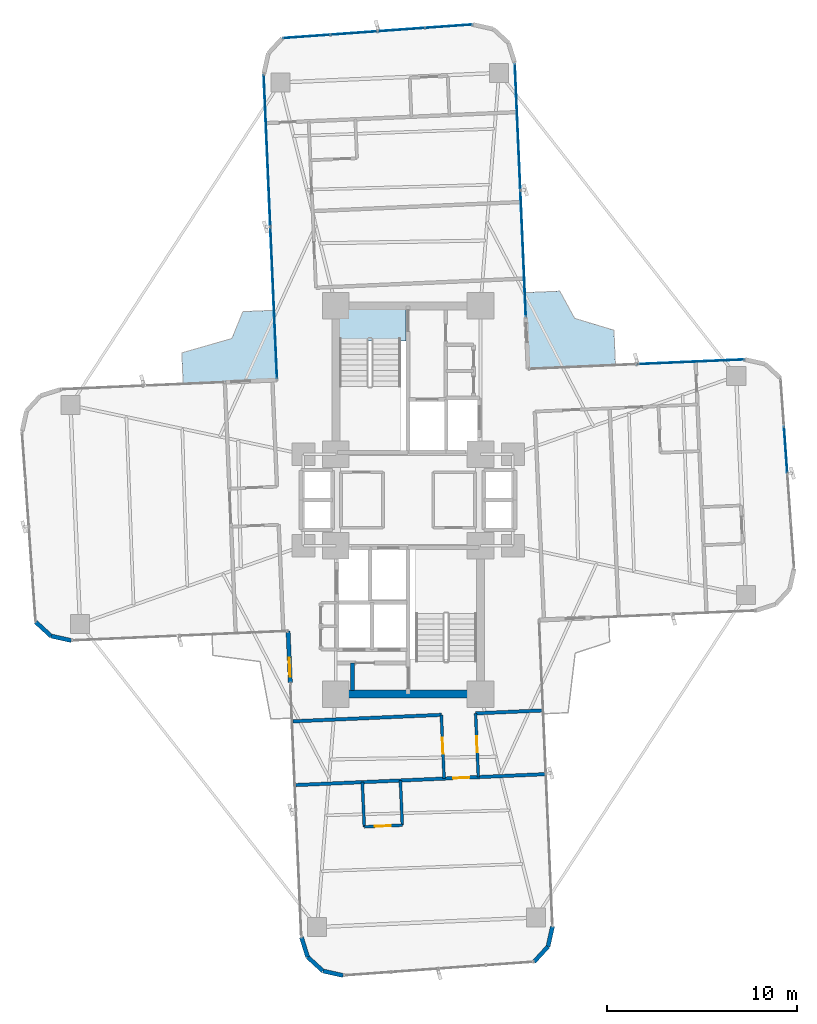
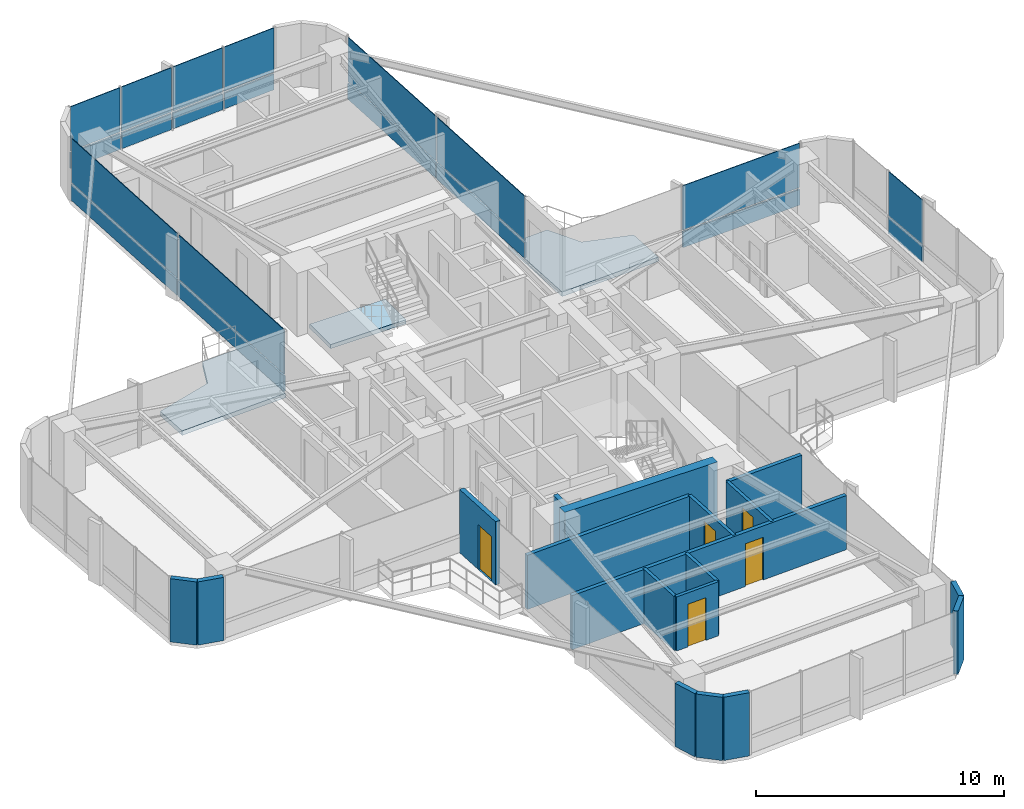
# One storey, part 22 of 26: 20 plates, 18 walls, 5 doors, 3 slabs, 5 openings, 5 elements without a shape of their own.
"""IFC4 building model written with IfcOpenShell, lengths in metres."""

import ifcopenshell
import ifcopenshell.guid

model = None  # the IFC model being written
_history = None  # IfcOwnerHistory: only IFC2X3 demands one
_inside = {}  # id of a spatial element -> (the spatial element, [elements in it])
_under = {}  # id of a project, library or spatial element -> (it, [spatial elements below it])
_declared = {}  # id of a project -> (the project, [libraries it declares])
_typed = {}  # id of a type object -> (the type object, [elements of that type])
_made_of = {}  # id of a material, layer set ... -> (it, [elements and type objects made of it])


def new_model(schema):
    """Start an empty IFC model of exactly this schema.

    Asked for "IFC4X3", IfcOpenShell would pick the latest addendum, in which some entities
    have other attributes; the version numbers below select the first issue.
    IFC2X3 requires an IfcOwnerHistory on every rooted entity: one is made here for all.
    """
    global model, _history
    if schema == "IFC4X3":
        model = ifcopenshell.file(schema_version=(4, 3, 0, 0))
    else:
        model = ifcopenshell.file(schema=schema)
    _inside.clear()
    _under.clear()
    _declared.clear()
    _typed.clear()
    _made_of.clear()
    _history = None
    if model.schema == "IFC2X3":
        org = make("IfcOrganization", Name="unknown")
        user = make(
            "IfcPersonAndOrganization",
            ThePerson=make("IfcPerson", FamilyName="unknown"),
            TheOrganization=org,
        )
        app = make(
            "IfcApplication",
            ApplicationDeveloper=org,
            Version="unknown",
            ApplicationFullName="unknown",
            ApplicationIdentifier="unknown",
        )
        _history = make(
            "IfcOwnerHistory",
            OwningUser=user,
            OwningApplication=app,
            ChangeAction="ADDED",
            CreationDate=0,
        )
    return model


def make(cls, **values):
    """One entity of the class cls with the attributes given. An attribute that is None is left unset."""
    return model.create_entity(
        cls, **{name: value for name, value in values.items() if value is not None}
    )


def rooted(cls, **values):
    """An entity with a GlobalId (a new one), such as an element, a storey or a relation."""
    return make(cls, GlobalId=ifcopenshell.guid.new(), OwnerHistory=_history, **values)


def si_unit(unit_type, name, prefix=None):
    """IfcSIUnit, for example si_unit("LENGTHUNIT", "METRE", prefix="MILLI")."""
    return make("IfcSIUnit", UnitType=unit_type, Prefix=prefix, Name=name)


def assignment(units):
    """IfcUnitAssignment: the units of a project."""
    return None if units is None else make("IfcUnitAssignment", Units=units)


def point(xyz):
    """IfcCartesianPoint."""
    return None if xyz is None else make("IfcCartesianPoint", Coordinates=xyz)


def direction(xyz):
    """IfcDirection."""
    return None if xyz is None else make("IfcDirection", DirectionRatios=xyz)


def frame(location, z_axis=None, x_axis=None):
    """IfcAxis2Placement3D, a coordinate frame: its origin and axes. An axis left out is left unset."""
    return make(
        "IfcAxis2Placement3D",
        Location=point(location),
        Axis=direction(z_axis),
        RefDirection=direction(x_axis),
    )


def frame_2d(location, x_axis=None):
    """IfcAxis2Placement2D, a coordinate frame in the plane: its origin and x axis."""
    return make(
        "IfcAxis2Placement2D", Location=point(location), RefDirection=direction(x_axis)
    )


def origin():
    """The frame at (0, 0, 0) with its axes left unset."""
    return frame((0.0, 0.0, 0.0))


def origin_2d():
    """The frame at (0, 0) in the plane with its x axis left unset."""
    return frame_2d((0.0, 0.0))


def place(relative_to, where):
    """IfcLocalPlacement: puts the frame where relative to a parent placement (None: the world)."""
    return make(
        "IfcLocalPlacement", PlacementRelTo=relative_to, RelativePlacement=where
    )


def context(
    kind, dimensions, precision=None, world=None, true_north=None, identifier=None
):
    """IfcGeometricRepresentationContext, for example the 3D "Model" context."""
    return make(
        "IfcGeometricRepresentationContext",
        ContextIdentifier=identifier,
        ContextType=kind,
        CoordinateSpaceDimension=dimensions,
        Precision=precision,
        WorldCoordinateSystem=world,
        TrueNorth=true_north,
    )


def subcontext(parent, identifier, kind, view, scale=None):
    """IfcGeometricRepresentationSubContext, for example "Body" below "Model"."""
    return make(
        "IfcGeometricRepresentationSubContext",
        ContextIdentifier=identifier,
        ContextType=kind,
        ParentContext=parent,
        TargetScale=scale,
        TargetView=view,
    )


def project(units=None, contexts=None):
    """IfcProject with its units and contexts."""
    return rooted(
        "IfcProject",
        Name="project",
        RepresentationContexts=contexts,
        UnitsInContext=assignment(units),
    )


def spatial(cls, under=None, at=None, **own):
    """A site, building, storey or space (cls), placed at a placement, below another one or the project."""
    s = rooted(cls, ObjectPlacement=at, **own)
    if under is not None:
        _under.setdefault(under.id(), (under, []))[1].append(s)
    return s


def polyline(points):
    """IfcPolyline through the points."""
    return make("IfcPolyline", Points=[point(p) for p in points])


def profile(cls, at=None, kind="AREA", **sizes):
    """A parametric profile (cls). Its sizes go by their IFC names, for example OverallWidth=200.0."""
    return make(cls, ProfileType=kind, Position=at, **sizes)


def rectangle(**sizes):
    """IfcRectangleProfileDef."""
    return profile("IfcRectangleProfileDef", **sizes)


def outline(outer, holes=None, kind="AREA"):
    """IfcArbitraryClosedProfileDef: a profile drawn as a closed curve; with holes, ...WithVoids."""
    if holes is None:
        return make("IfcArbitraryClosedProfileDef", ProfileType=kind, OuterCurve=outer)
    return make(
        "IfcArbitraryProfileDefWithVoids",
        ProfileType=kind,
        OuterCurve=outer,
        InnerCurves=holes,
    )


def extrude(swept, where, along, depth):
    """IfcExtrudedAreaSolid: the profile swept, set in the frame where, extruded along a direction by depth."""
    return make(
        "IfcExtrudedAreaSolid",
        SweptArea=swept,
        Position=where,
        ExtrudedDirection=direction(along),
        Depth=depth,
    )


def shape(context_of_items, identifier, shape_type, items):
    """IfcShapeRepresentation: the items that make up one representation, for example the "Body"."""
    return make(
        "IfcShapeRepresentation",
        ContextOfItems=context_of_items,
        RepresentationIdentifier=identifier,
        RepresentationType=shape_type,
        Items=items,
    )


def source(mapping_origin, context_of_items, identifier, shape_type, items):
    """IfcRepresentationMap: a shape defined once, which mapped items show again and again."""
    return make(
        "IfcRepresentationMap",
        MappingOrigin=mapping_origin,
        MappedRepresentation=shape(context_of_items, identifier, shape_type, items),
    )


def transform(
    local_origin,
    x_axis=None,
    y_axis=None,
    z_axis=None,
    scale=None,
    scale2=None,
    scale3=None,
    uniform=True,
):
    """IfcCartesianTransformationOperator3D, or its non-uniform kind. x_axis, y_axis, z_axis: its Axis1, 2, 3."""
    if uniform:
        return make(
            "IfcCartesianTransformationOperator3D",
            Axis1=direction(x_axis),
            Axis2=direction(y_axis),
            LocalOrigin=point(local_origin),
            Scale=scale,
            Axis3=direction(z_axis),
        )
    return make(
        "IfcCartesianTransformationOperator3DnonUniform",
        Axis1=direction(x_axis),
        Axis2=direction(y_axis),
        LocalOrigin=point(local_origin),
        Scale=scale,
        Axis3=direction(z_axis),
        Scale2=scale2,
        Scale3=scale3,
    )


def mapped(mapping_source, mapping_target):
    """IfcMappedItem: shows the shape of a source again, moved by a transform."""
    return make(
        "IfcMappedItem", MappingSource=mapping_source, MappingTarget=mapping_target
    )


def material(Name=None, Category=None):
    """IfcMaterial."""
    return make("IfcMaterial", Name=Name, Category=Category)


def layer(
    of_material, thickness, ventilated=None, Name=None, Category=None, Priority=None
):
    """IfcMaterialLayer: one layer of a wall or slab, of a material (None: an air gap)."""
    return make(
        "IfcMaterialLayer",
        Material=of_material,
        LayerThickness=thickness,
        IsVentilated=ventilated,
        Name=Name,
        Category=Category,
        Priority=Priority,
    )


def layer_set(layers, Name=None):
    """IfcMaterialLayerSet."""
    return make("IfcMaterialLayerSet", MaterialLayers=layers, LayerSetName=Name)


def made_of(thing, what):
    """Note that an element or type object is made of a material, layer set ...; save() writes the relation."""
    if what is not None:
        _made_of.setdefault(what.id(), (what, []))[1].append(thing)
    return thing


def type_object(cls, material=None, **own):
    """A type object (cls), such as IfcWallType, which elements share."""
    return made_of(rooted(cls, **own), material)


def element(
    cls,
    number,
    at=None,
    inside=None,
    cuts=None,
    type_object=None,
    material=None,
    context=None,
    identifier="Body",
    shape_type=None,
    held_by="IfcProductDefinitionShape",
    body=None,
    shapes=None,
    **own,
):
    """One element of the class cls, such as IfcWall. Its Tag is "e" and its number.

    at: its placement. inside: the storey or other place that contains it. cuts: it is an
    opening in that element (IfcRelVoidsElement). A single representation is given by context,
    identifier, shape_type and body (its items); several are given by shapes. held_by: the class
    of the entity that holds the representations. save() writes the other relations.
    """
    e = rooted(cls, Tag="e%d" % number, ObjectPlacement=at, **own)
    if body is not None:
        shapes = [shape(context, identifier, shape_type, body)]
    if shapes is not None:
        e.Representation = make(held_by, Representations=shapes)
    if inside is not None:
        _inside.setdefault(inside.id(), (inside, []))[1].append(e)
    if cuts is not None:
        rooted(
            "IfcRelVoidsElement", RelatingBuildingElement=cuts, RelatedOpeningElement=e
        )
    if type_object is not None:
        _typed.setdefault(type_object.id(), (type_object, []))[1].append(e)
    return made_of(e, material)


def fill(opening, filler):
    """IfcRelFillsElement: the door or window that sits in an opening."""
    return rooted(
        "IfcRelFillsElement",
        RelatingOpeningElement=opening,
        RelatedBuildingElement=filler,
    )


def aggregate(whole, parts):
    """IfcRelAggregates: a whole, such as a stair, and the parts it consists of."""
    return rooted("IfcRelAggregates", RelatingObject=whole, RelatedObjects=parts)


def save(model, path):
    """Write the relations noted so far, then the file.

    IfcRelAggregates (storeys below a building ...), IfcRelContainedInSpatialStructure (elements
    in a storey), IfcRelDefinesByType, IfcRelAssociatesMaterial and IfcRelDeclares: one each for
    every whole, place, type object, material and project.
    """
    for whole, parts in _under.values():
        aggregate(whole, parts)
    for where, things in _inside.values():
        rooted(
            "IfcRelContainedInSpatialStructure",
            RelatedElements=things,
            RelatingStructure=where,
        )
    for kind, things in _typed.values():
        rooted("IfcRelDefinesByType", RelatedObjects=things, RelatingType=kind)
    for what, things in _made_of.values():
        rooted("IfcRelAssociatesMaterial", RelatedObjects=things, RelatingMaterial=what)
    for by, libraries in _declared.values():
        rooted("IfcRelDeclares", RelatingContext=by, RelatedDefinitions=libraries)
    model.write(path)


model = new_model("IFC4")

# Units and contexts
model_context = context("Model", 3, precision=1e-05, world=origin(), true_north=direction((0.0, 1.0)))
body_context = subcontext(model_context, "Body", "Model", "MODEL_VIEW")
ifc_project = project(units=[si_unit("LENGTHUNIT", "METRE"), si_unit("AREAUNIT", "SQUARE_METRE"), si_unit("VOLUMEUNIT", "CUBIC_METRE"), si_unit("PLANEANGLEUNIT", "RADIAN"), si_unit("MASSUNIT", "GRAM", prefix="KILO")], contexts=[model_context])

# Site, building, storey
site_placement = place(None, origin())
site = spatial("IfcSite", under=ifc_project, at=site_placement, CompositionType="ELEMENT")
building_placement = place(site_placement, origin())
building = spatial("IfcBuilding", under=site, at=building_placement, Name="Sahyath Konkavel Grand Hotel", CompositionType="ELEMENT")
storey_placement = place(building_placement, frame((0.0, 0.0, 118.14990234375)))
storey = spatial("IfcBuildingStorey", under=building, at=storey_placement, Name="L32", CompositionType="ELEMENT", Elevation=118.14990234375)

# Slabs
ifc_material_1 = material(Name="Concrete C40/50", Category="concrete")
ifc_layer_1 = layer(ifc_material_1, 0.219970703125)
ifc_layer_set_1 = layer_set([ifc_layer_1], Name="Concrete C40/50")
slab_type_1 = type_object("IfcSlabType", Name="SLB-BALCONY-220", PredefinedType="FLOOR", material=ifc_layer_set_1)
slab_1_placement = place(storey_placement, frame((0.0, 0.0, -0.219970703125)))
element("IfcSlab", 1, at=slab_1_placement, inside=storey, type_object=slab_type_1, Name="L32 Winter-Garden Balcony NE", PredefinedType="FLOOR", context=body_context, shape_type="SweptSolid", body=[
    extrude(outline(polyline([(6.305908203125, 6.881591796875), (10.889404296875, 7.081787109375), (10.809326171875, 8.916748046875), (8.7431640625, 9.54150390625), (7.9658203125, 10.969970703125), (6.130859375, 10.889892578125), (6.305908203125, 6.881591796875)])), origin(), (0.0, 0.0, 1.0), 0.219970703125),
])
slab_2_placement = place(storey_placement, frame((0.0, 0.0, -0.219970703125)))
element("IfcSlab", 2, at=slab_2_placement, inside=storey, type_object=slab_type_1, Name="L32 Winter-Garden Balcony NW", PredefinedType="FLOOR", context=body_context, shape_type="SweptSolid", body=[
    extrude(outline(polyline([(-6.881591796875, 6.305908203125), (-7.041259765625, 9.96435546875), (-8.678466796875, 9.892822265625), (-9.254638671875, 8.48046875), (-11.886474609375, 7.7275390625), (-11.81494140625, 6.09033203125), (-6.881591796875, 6.305908203125)])), origin(), (0.0, 0.0, 1.0), 0.219970703125),
])
ifc_layer_2 = layer(ifc_material_1, 0.199951171875)
ifc_layer_set_2 = layer_set([ifc_layer_2], Name="Concrete C40/50")
slab_type_2 = type_object("IfcSlabType", Name="SLB-STAIR-LND", PredefinedType="LANDING", material=ifc_layer_set_2)
slab_3_placement = place(storey_placement, frame((0.0, 0.0, -0.199951171875)))
element("IfcSlab", 3, at=slab_3_placement, inside=storey, type_object=slab_type_2, Name="L32 Stair ST-1 Floor Landing Slab", PredefinedType="LANDING", context=body_context, shape_type="SweptSolid", body=[
    extrude(outline(polyline([(-3.6201171875, 8.35009765625), (-0.10009765625, 8.35009765625), (-0.10009765625, 10.02001953125), (-3.6201171875, 10.02001953125), (-3.6201171875, 8.35009765625)])), origin(), (0.0, 0.0, 1.0), 0.199951171875),
])

# Curtain wall, plate
ifc_material_2 = material(Name="Anodised Bronze Aluminium & Low-E Glazing", Category="aluminium")
curtain_wall_type = type_object("IfcCurtainWallType", Name="CW-ZONE2", PredefinedType="NOTDEFINED", material=ifc_material_2)
curtain_wall_1_placement = place(storey_placement, origin())
curtain_wall_1 = element("IfcCurtainWall", 4, at=curtain_wall_1_placement, inside=storey, type_object=curtain_wall_type, Name="L32 Unitised Curtain Wall F4", PredefinedType="NOTDEFINED")
ifc_material_3 = material(Name="Warm Buff Sandstone Cladding", Category="masonry")
ifc_layer_3 = layer(ifc_material_3, 0.074951171875)
ifc_layer_set_3 = layer_set([ifc_layer_3], Name="Warm Buff Sandstone Cladding")
plate_type_1 = type_object("IfcPlateType", Name="PNL-SPANDREL-STONE", PredefinedType="SHEET", material=ifc_layer_set_3)
shared_shape_1 = source(origin(), body_context, "Body", "SweptSolid", [
    extrude(rectangle(XDim=2.41357421875, YDim=0.074951171875, at=origin_2d()), origin(), (0.0, 0.0, 1.0), 0.77001953125),
])
plate_1_placement = place(storey_placement, frame((19.828369140625, 2.638671875, 0.0400390625), z_axis=(0.0, 0.0, 1.0), x_axis=(-0.071567078661, 0.997435789037, 0.0)))
plate_1 = element("IfcPlate", 5, at=plate_1_placement, type_object=plate_type_1, Name="L32 Sandstone Relief Spandrel Panel F4-2", PredefinedType="SHEET", context=body_context, shape_type="MappedRepresentation", body=[
    mapped(shared_shape_1, transform((0.0, 0.0, 0.0), scale=1.0)),
])

# Curtain wall, plates
curtain_wall_2_placement = place(storey_placement, origin())
curtain_wall_2 = element("IfcCurtainWall", 6, at=curtain_wall_2_placement, inside=storey, type_object=curtain_wall_type, Name="L32 Unitised Curtain Wall F12", PredefinedType="NOTDEFINED")
plate_2_placement = place(storey_placement, frame((2.130615234375, 24.880615234375, 0.0400390625), z_axis=(0.0, 0.0, 1.0), x_axis=(-0.997435789037, -0.071567078661, 0.0)))
plate_2 = element("IfcPlate", 7, at=plate_2_placement, type_object=plate_type_1, Name="L32 Sandstone Relief Spandrel Panel F12-0", PredefinedType="SHEET", context=body_context, shape_type="MappedRepresentation", body=[
    mapped(shared_shape_1, transform((0.0, 0.0, 0.0), scale=1.0)),
])
plate_3_placement = place(storey_placement, frame((-0.356689453125, 24.7021484375, 0.0400390625), z_axis=(0.0, 0.0, 1.0), x_axis=(-0.997435789037, -0.071567078661, 0.0)))
plate_3 = element("IfcPlate", 8, at=plate_3_placement, type_object=plate_type_1, Name="L32 Sandstone Relief Spandrel Panel F12-1", PredefinedType="SHEET", context=body_context, shape_type="MappedRepresentation", body=[
    mapped(shared_shape_1, transform((0.0, 0.0, 0.0), scale=1.0)),
])
plate_4_placement = place(storey_placement, frame((-2.84375, 24.523681640625, 0.0400390625), z_axis=(0.0, 0.0, 1.0), x_axis=(-0.997435789037, -0.071567078661, 0.0)))
plate_4 = element("IfcPlate", 9, at=plate_4_placement, type_object=plate_type_1, Name="L32 Sandstone Relief Spandrel Panel F12-2", PredefinedType="SHEET", context=body_context, shape_type="MappedRepresentation", body=[
    mapped(shared_shape_1, transform((0.0, 0.0, 0.0), scale=1.0)),
])
plate_5_placement = place(storey_placement, frame((-5.330810546875, 24.34521484375, 0.0400390625), z_axis=(0.0, 0.0, 1.0), x_axis=(-0.997435789037, -0.071567078661, 0.0)))
plate_5 = element("IfcPlate", 10, at=plate_5_placement, type_object=plate_type_1, Name="L32 Sandstone Relief Spandrel Panel F12-3", PredefinedType="SHEET", context=body_context, shape_type="MappedRepresentation", body=[
    mapped(shared_shape_1, transform((0.0, 0.0, 0.0), scale=1.0)),
])

# Curtain wall, plate
curtain_wall_3_placement = place(storey_placement, origin())
curtain_wall_3 = element("IfcCurtainWall", 11, at=curtain_wall_3_placement, inside=storey, type_object=curtain_wall_type, Name="L32 Unitised Curtain Wall F7", PredefinedType="NOTDEFINED")
shared_shape_2 = source(origin(), body_context, "Body", "SweptSolid", [
    extrude(rectangle(XDim=5.580078125, YDim=0.074951171875, at=origin_2d()), origin(), (0.0, 0.0, 1.0), 0.77001953125),
])
plate_6_placement = place(storey_placement, frame((14.82763671875, 7.25390625, 0.0400390625), z_axis=(0.0, 0.0, 1.0), x_axis=(-0.999048221582, -0.043619387365, 0.0)))
plate_6 = element("IfcPlate", 12, at=plate_6_placement, type_object=plate_type_1, Name="L32 Sandstone Relief Spandrel Panel F7-0", PredefinedType="SHEET", context=body_context, shape_type="MappedRepresentation", body=[
    mapped(shared_shape_2, transform((0.0, 0.0, 0.0), scale=1.0)),
])

# Curtain wall, plates
curtain_wall_4_placement = place(storey_placement, origin())
curtain_wall_4 = element("IfcCurtainWall", 13, at=curtain_wall_4_placement, inside=storey, type_object=curtain_wall_type, Name="L32 Unitised Curtain Wall F8", PredefinedType="NOTDEFINED")
shared_shape_3 = source(origin(), body_context, "Body", "SweptSolid", [
    extrude(rectangle(XDim=6.580078125, YDim=0.074951171875, at=origin_2d()), origin(), (0.0, 0.0, 1.0), 0.77001953125),
])
plate_7_placement = place(storey_placement, frame((6.041015625, 12.94580078125, 0.0400390625), z_axis=(0.0, 0.0, 1.0), x_axis=(-0.043619387365, 0.999048221582, 0.0)))
plate_7 = element("IfcPlate", 14, at=plate_7_placement, type_object=plate_type_1, Name="L32 Sandstone Relief Spandrel Panel F8-0", PredefinedType="SHEET", context=body_context, shape_type="MappedRepresentation", body=[
    mapped(shared_shape_3, transform((0.0, 0.0, 0.0), scale=1.0)),
])
plate_8_placement = place(storey_placement, frame((5.75048828125, 19.599609375, 0.0400390625), z_axis=(0.0, 0.0, 1.0), x_axis=(-0.043619387365, 0.999048221582, 0.0)))
plate_8 = element("IfcPlate", 15, at=plate_8_placement, type_object=plate_type_1, Name="L32 Sandstone Relief Spandrel Panel F8-1", PredefinedType="SHEET", context=body_context, shape_type="MappedRepresentation", body=[
    mapped(shared_shape_3, transform((0.0, 0.0, 0.0), scale=1.0)),
])

curtain_wall_5_placement = place(storey_placement, origin())
curtain_wall_5 = element("IfcCurtainWall", 16, at=curtain_wall_5_placement, inside=storey, type_object=curtain_wall_type, Name="L32 Unitised Curtain Wall F15", PredefinedType="NOTDEFINED")
shared_shape_4 = source(origin(), body_context, "Body", "SweptSolid", [
    extrude(rectangle(XDim=7.929931640625, YDim=0.074951171875, at=origin_2d()), origin(), (0.0, 0.0, 1.0), 0.77001953125),
])
plate_9_placement = place(storey_placement, frame((-7.407470703125, 18.349365234375, 0.0400390625), z_axis=(0.0, 0.0, 1.0), x_axis=(0.043619387365, -0.999048221582, 0.0)))
plate_9 = element("IfcPlate", 17, at=plate_9_placement, type_object=plate_type_1, Name="L32 Sandstone Relief Spandrel Panel F15-0", PredefinedType="SHEET", context=body_context, shape_type="MappedRepresentation", body=[
    mapped(shared_shape_4, transform((0.0, 0.0, 0.0), scale=1.0)),
])
plate_10_placement = place(storey_placement, frame((-7.05810546875, 10.346923828125, 0.0400390625), z_axis=(0.0, 0.0, 1.0), x_axis=(0.043619387365, -0.999048221582, 0.0)))
plate_10 = element("IfcPlate", 18, at=plate_10_placement, type_object=plate_type_1, Name="L32 Sandstone Relief Spandrel Panel F15-1", PredefinedType="SHEET", context=body_context, shape_type="MappedRepresentation", body=[
    mapped(shared_shape_4, transform((0.0, 0.0, 0.0), scale=1.0)),
])

# Plate
ifc_material_4 = material(Name="Low-E Solar Control Double Glazing", Category="glass")
ifc_layer_4 = layer(ifc_material_4, 0.035888671875)
ifc_layer_set_4 = layer_set([ifc_layer_4], Name="Low-E Solar Control Double Glazing")
plate_type_2 = type_object("IfcPlateType", Name="PNL-VISION-LOWE", PredefinedType="CURTAIN_PANEL", material=ifc_layer_set_4)
shared_shape_5 = source(origin(), body_context, "Body", "SweptSolid", [
    extrude(rectangle(XDim=2.41357421875, YDim=0.035888671875, at=origin_2d()), origin(), (0.0, 0.0, 1.0), 2.179931640625),
])
plate_11_placement = place(storey_placement, frame((19.828369140625, 2.638671875, 0.89013671875), z_axis=(0.0, 0.0, 1.0), x_axis=(-0.071567078661, 0.997435789037, 0.0)))
plate_11 = element("IfcPlate", 19, at=plate_11_placement, type_object=plate_type_2, Name="L32 Low-E Vision Glazing Panel F4-2", PredefinedType="CURTAIN_PANEL", context=body_context, shape_type="MappedRepresentation", body=[
    mapped(shared_shape_5, transform((0.0, 0.0, 0.0), scale=1.0)),
])

aggregate(curtain_wall_1, [plate_1, plate_11])

plate_12_placement = place(storey_placement, frame((2.130615234375, 24.880615234375, 0.89013671875), z_axis=(0.0, 0.0, 1.0), x_axis=(-0.997435789037, -0.071567078661, 0.0)))
plate_12 = element("IfcPlate", 20, at=plate_12_placement, type_object=plate_type_2, Name="L32 Low-E Vision Glazing Panel F12-0", PredefinedType="CURTAIN_PANEL", context=body_context, shape_type="MappedRepresentation", body=[
    mapped(shared_shape_5, transform((0.0, 0.0, 0.0), scale=1.0)),
])

plate_13_placement = place(storey_placement, frame((-0.356689453125, 24.7021484375, 0.89013671875), z_axis=(0.0, 0.0, 1.0), x_axis=(-0.997435789037, -0.071567078661, 0.0)))
plate_13 = element("IfcPlate", 21, at=plate_13_placement, type_object=plate_type_2, Name="L32 Low-E Vision Glazing Panel F12-1", PredefinedType="CURTAIN_PANEL", context=body_context, shape_type="MappedRepresentation", body=[
    mapped(shared_shape_5, transform((0.0, 0.0, 0.0), scale=1.0)),
])

plate_14_placement = place(storey_placement, frame((-2.84375, 24.523681640625, 0.89013671875), z_axis=(0.0, 0.0, 1.0), x_axis=(-0.997435789037, -0.071567078661, 0.0)))
plate_14 = element("IfcPlate", 22, at=plate_14_placement, type_object=plate_type_2, Name="L32 Low-E Vision Glazing Panel F12-2", PredefinedType="CURTAIN_PANEL", context=body_context, shape_type="MappedRepresentation", body=[
    mapped(shared_shape_5, transform((0.0, 0.0, 0.0), scale=1.0)),
])

plate_15_placement = place(storey_placement, frame((-5.330810546875, 24.34521484375, 0.89013671875), z_axis=(0.0, 0.0, 1.0), x_axis=(-0.997435789037, -0.071567078661, 0.0)))
plate_15 = element("IfcPlate", 23, at=plate_15_placement, type_object=plate_type_2, Name="L32 Low-E Vision Glazing Panel F12-3", PredefinedType="CURTAIN_PANEL", context=body_context, shape_type="MappedRepresentation", body=[
    mapped(shared_shape_5, transform((0.0, 0.0, 0.0), scale=1.0)),
])

aggregate(curtain_wall_2, [plate_2, plate_12, plate_3, plate_13, plate_4, plate_14, plate_5, plate_15])

shared_shape_6 = source(origin(), body_context, "Body", "SweptSolid", [
    extrude(rectangle(XDim=5.580078125, YDim=0.035888671875, at=origin_2d()), origin(), (0.0, 0.0, 1.0), 2.179931640625),
])
plate_16_placement = place(storey_placement, frame((14.82763671875, 7.25390625, 0.89013671875), z_axis=(0.0, 0.0, 1.0), x_axis=(-0.999048221582, -0.043619387365, 0.0)))
plate_16 = element("IfcPlate", 24, at=plate_16_placement, type_object=plate_type_2, Name="L32 Low-E Vision Glazing Panel F7-0", PredefinedType="CURTAIN_PANEL", context=body_context, shape_type="MappedRepresentation", body=[
    mapped(shared_shape_6, transform((0.0, 0.0, 0.0), scale=1.0)),
])

aggregate(curtain_wall_3, [plate_6, plate_16])

shared_shape_7 = source(origin(), body_context, "Body", "SweptSolid", [
    extrude(rectangle(XDim=6.580078125, YDim=0.035888671875, at=origin_2d()), origin(), (0.0, 0.0, 1.0), 2.179931640625),
])
plate_17_placement = place(storey_placement, frame((6.041015625, 12.94580078125, 0.89013671875), z_axis=(0.0, 0.0, 1.0), x_axis=(-0.043619387365, 0.999048221582, 0.0)))
plate_17 = element("IfcPlate", 25, at=plate_17_placement, type_object=plate_type_2, Name="L32 Low-E Vision Glazing Panel F8-0", PredefinedType="CURTAIN_PANEL", context=body_context, shape_type="MappedRepresentation", body=[
    mapped(shared_shape_7, transform((0.0, 0.0, 0.0), scale=1.0)),
])

plate_18_placement = place(storey_placement, frame((5.75048828125, 19.599609375, 0.89013671875), z_axis=(0.0, 0.0, 1.0), x_axis=(-0.043619387365, 0.999048221582, 0.0)))
plate_18 = element("IfcPlate", 26, at=plate_18_placement, type_object=plate_type_2, Name="L32 Low-E Vision Glazing Panel F8-1", PredefinedType="CURTAIN_PANEL", context=body_context, shape_type="MappedRepresentation", body=[
    mapped(shared_shape_7, transform((0.0, 0.0, 0.0), scale=1.0)),
])

aggregate(curtain_wall_4, [plate_7, plate_17, plate_8, plate_18])

shared_shape_8 = source(origin(), body_context, "Body", "SweptSolid", [
    extrude(rectangle(XDim=7.929931640625, YDim=0.035888671875, at=origin_2d()), origin(), (0.0, 0.0, 1.0), 2.179931640625),
])
plate_19_placement = place(storey_placement, frame((-7.407470703125, 18.349365234375, 0.89013671875), z_axis=(0.0, 0.0, 1.0), x_axis=(0.043619387365, -0.999048221582, 0.0)))
plate_19 = element("IfcPlate", 27, at=plate_19_placement, type_object=plate_type_2, Name="L32 Low-E Vision Glazing Panel F15-0", PredefinedType="CURTAIN_PANEL", context=body_context, shape_type="MappedRepresentation", body=[
    mapped(shared_shape_8, transform((0.0, 0.0, 0.0), scale=1.0)),
])

plate_20_placement = place(storey_placement, frame((-7.05810546875, 10.346923828125, 0.89013671875), z_axis=(0.0, 0.0, 1.0), x_axis=(0.043619387365, -0.999048221582, 0.0)))
plate_20 = element("IfcPlate", 28, at=plate_20_placement, type_object=plate_type_2, Name="L32 Low-E Vision Glazing Panel F15-1", PredefinedType="CURTAIN_PANEL", context=body_context, shape_type="MappedRepresentation", body=[
    mapped(shared_shape_8, transform((0.0, 0.0, 0.0), scale=1.0)),
])

aggregate(curtain_wall_5, [plate_9, plate_19, plate_10, plate_20])

# Walls
ifc_material_5 = material(Name="Concrete C50/60", Category="concrete")
ifc_layer_5 = layer(ifc_material_5, 0.419921875)
ifc_layer_set_5 = layer_set([ifc_layer_5], Name="Concrete C50/60")
wall_type_1 = type_object("IfcWallType", Name="CWALL-420", PredefinedType="SHEAR", material=ifc_layer_set_5)
wall_1_placement = place(storey_placement, frame((-3.550048828125, -10.199951171875, 0.0), z_axis=(0.0, 0.0, 1.0), x_axis=(1.0, 0.0, 0.0)))
element("IfcWall", 29, at=wall_1_placement, inside=storey, type_object=wall_type_1, Name="L32 South Core Shear Wall S", PredefinedType="SHEAR", context=body_context, shape_type="SweptSolid", body=[
    extrude(rectangle(XDim=7.10009765625, YDim=0.419921875, at=frame_2d((3.550048828125, 0.0))), origin(), (0.0, 0.0, 1.0), 3.110107421875),
])
ifc_material_6 = material(Name="Warm Buff Sandstone Insulated Concrete C40/50", Category="masonry")
ifc_layer_6 = layer(ifc_material_6, 0.219970703125)
ifc_layer_set_6 = layer_set([ifc_layer_6], Name="Warm Buff Sandstone Insulated Concrete C40/50")
wall_type_2 = type_object("IfcWallType", Name="WLL-BALC-THRESH", PredefinedType="STANDARD", material=ifc_layer_set_6)
wall_2_placement = place(storey_placement, frame((-19.5576171875, -6.4091796875, 0.0), z_axis=(0.0, 0.0, 1.0), x_axis=(0.737210081318, -0.675663596772, 0.0)))
element("IfcWall", 30, at=wall_2_placement, inside=storey, type_object=wall_type_2, Name="L32 Rounded Corner Sandstone Pier 21", PredefinedType="STANDARD", context=body_context, shape_type="SweptSolid", body=[
    extrude(rectangle(XDim=1.0869140625, YDim=0.219970703125, at=frame_2d((0.54345703125, 0.0))), origin(), (0.0, 0.0, 1.0), 3.110107421875),
])
wall_3_placement = place(storey_placement, frame((-18.75634765625, -7.1435546875, 0.0), z_axis=(0.0, 0.0, 1.0), x_axis=(0.976282085775, -0.216502399514, 0.0)))
element("IfcWall", 31, at=wall_3_placement, inside=storey, type_object=wall_type_2, Name="L32 Rounded Corner Sandstone Pier 22", PredefinedType="STANDARD", context=body_context, shape_type="SweptSolid", body=[
    extrude(rectangle(XDim=1.087158203125, YDim=0.219970703125, at=frame_2d((0.54345703125, 0.0))), origin(), (0.0, 0.0, 1.0), 3.110107421875),
])

# Wall, opening, door
wall_4_placement = place(storey_placement, frame((-6.305908203125, -6.881591796875, 0.0), z_axis=(0.0, 0.0, 1.0), x_axis=(0.043672655174, -0.999045894436, 0.0)))
wall_4 = element("IfcWall", 32, at=wall_4_placement, inside=storey, type_object=wall_type_2, Name="L32 Winter-Garden Threshold Wall 24", PredefinedType="STANDARD", context=body_context, shape_type="SweptSolid", body=[
    extrude(rectangle(XDim=2.7001953125, YDim=0.219970703125, at=frame_2d((1.35009765625, 0.0))), origin(), (0.0, 0.0, 1.0), 3.110107421875),
])
opening_1_placement = place(wall_4_placement, frame((1.39990234375, 0.0, 0.0)))
opening_1 = element("IfcOpeningElement", 33, at=opening_1_placement, cuts=wall_4, Name="Opening D-TR1", PredefinedType="OPENING", context=body_context, shape_type="SweptSolid", body=[
    extrude(rectangle(XDim=1.0, YDim=2.199951171875, at=frame_2d((0.5, 1.10009765625))), frame((0.0, 0.1201171875, 0.0), z_axis=(0.0, -1.0, 0.0), x_axis=(1.0, 0.0, 0.0)), (0.0, 0.0, 1.0), 0.239990234375),
])
door_type_1 = type_object("IfcDoorType", Name="DR-TERRACE-1000", OperationType="NOTDEFINED", PredefinedType="DOOR", material=ifc_material_2)
shared_shape_9 = source(origin(), body_context, "Body", "SweptSolid", [
    extrude(rectangle(XDim=1.0, YDim=0.050048828125, at=origin_2d()), origin(), (0.0, 0.0, 1.0), 2.199951171875),
])
door_1_placement = place(opening_1_placement, frame((0.5, 0.0, 0.0)))
door_1 = element("IfcDoor", 34, at=door_1_placement, inside=storey, type_object=door_type_1, Name="L32 Winter-Garden Terrace Door 24", OperationType="SINGLE_SWING_LEFT", OverallHeight=2.199951171875, OverallWidth=1.0, PredefinedType="DOOR", context=body_context, shape_type="MappedRepresentation", body=[
    mapped(shared_shape_9, transform((0.0, 0.0, 0.0), scale=1.0)),
])
fill(opening_1, door_1)

# Walls
wall_5_placement = place(storey_placement, frame((-5.603515625, -22.96630859375, 0.0), z_axis=(0.0, 0.0, 1.0), x_axis=(0.300755105707, -0.953701403161, 0.0)))
element("IfcWall", 35, at=wall_5_placement, inside=storey, type_object=wall_type_2, Name="L32 Rounded Corner Sandstone Pier 25", PredefinedType="STANDARD", context=body_context, shape_type="SweptSolid", body=[
    extrude(rectangle(XDim=1.0869140625, YDim=0.219970703125, at=frame_2d((0.54345703125, 0.0))), origin(), (0.0, 0.0, 1.0), 3.110107421875),
])
wall_6_placement = place(storey_placement, frame((-5.276611328125, -24.0029296875, 0.0), z_axis=(0.0, 0.0, 1.0), x_axis=(0.737312600672, -0.675551721847, 0.0)))
element("IfcWall", 36, at=wall_6_placement, inside=storey, type_object=wall_type_2, Name="L32 Rounded Corner Sandstone Pier 26", PredefinedType="STANDARD", context=body_context, shape_type="SweptSolid", body=[
    extrude(rectangle(XDim=1.087158203125, YDim=0.219970703125, at=frame_2d((0.54345703125, 0.0))), origin(), (0.0, 0.0, 1.0), 3.110107421875),
])
for number, where, z_axis, x_axis, name in (
    (37, (-4.47509765625, -24.7373046875, 0.0), (0.0, 0.0, 1.0), (0.976271555154, -0.216549880158, 0.0), "L32 Rounded Corner Sandstone Pier 27"),
    (38, (6.6142578125, -24.253173828125, 0.0), (0.0, 0.0, 1.0), (0.675663596772, 0.737210081318, 0.0), "L32 Rounded Corner Sandstone Pier 29"),
):
    element("IfcWall", number, at=place(storey_placement, frame(where, z_axis=z_axis, x_axis=x_axis)), inside=storey, type_object=wall_type_2, Name=name, PredefinedType="STANDARD", context=body_context, shape_type="SweptSolid", body=[
        extrude(rectangle(XDim=1.0869140625, YDim=0.219970703125, at=frame_2d((0.54345703125, 0.0))), origin(), (0.0, 0.0, 1.0), 3.110107421875),
    ])
wall_7_placement = place(storey_placement, frame((7.3486328125, -23.451904296875, 0.0), z_axis=(0.0, 0.0, 1.0), x_axis=(0.216454939174, 0.976292609471, 0.0)))
element("IfcWall", 39, at=wall_7_placement, inside=storey, type_object=wall_type_2, Name="L32 Rounded Corner Sandstone Pier 30", PredefinedType="STANDARD", context=body_context, shape_type="SweptSolid", body=[
    extrude(rectangle(XDim=1.08740234375, YDim=0.219970703125, at=frame_2d((0.543701171875, 0.0))), origin(), (0.0, 0.0, 1.0), 3.110107421875),
])
ifc_layer_7 = layer(ifc_material_1, 0.199951171875)
ifc_layer_set_7 = layer_set([ifc_layer_7], Name="Concrete C40/50")
wall_type_3 = type_object("IfcWallType", Name="WLL-CORE-200", PredefinedType="SOLIDWALL", material=ifc_layer_set_7)
wall_8_placement = place(storey_placement, frame((-2.919921875, -10.0, 0.0), z_axis=(0.0, 0.0, 1.0), x_axis=(0.0, 1.0, 0.0)))
element("IfcWall", 40, at=wall_8_placement, inside=storey, type_object=wall_type_3, Name="L32 Partition SFF-W2", PredefinedType="SOLIDWALL", context=body_context, shape_type="SweptSolid", body=[
    extrude(rectangle(XDim=1.43994140625, YDim=0.199951171875, at=frame_2d((0.719970703125, 0.0))), origin(), (0.0, 0.0, 1.0), 2.66015625),
])
ifc_material_7 = material(Name="Twin-Stud Acoustic Gypsum Plasterboard Partition")
ifc_layer_8 = layer(ifc_material_7, 0.179931640625)
ifc_layer_set_8 = layer_set([ifc_layer_8], Name="Twin-Stud Acoustic Gypsum Plasterboard Partition")
wall_type_4 = type_object("IfcWallType", Name="WLL-DEMISE-180", PredefinedType="PARTITIONING", material=ifc_layer_set_8)
wall_9_placement = place(storey_placement, frame((3.542236328125, -11.206298828125, 0.0), z_axis=(0.0, 0.0, 1.0), x_axis=(0.999046129111, 0.04366728647, 0.0)))
element("IfcWall", 41, at=wall_9_placement, inside=storey, type_object=wall_type_4, Name="L32 Partition S-INL", PredefinedType="PARTITIONING", context=body_context, shape_type="SweptSolid", body=[
    extrude(rectangle(XDim=3.5, YDim=0.179931640625, at=frame_2d((1.75, 0.0))), origin(), (0.0, 0.0, 1.0), 2.66015625),
])
wall_10_placement = place(storey_placement, frame((-6.048583984375, -11.625, 0.0), z_axis=(0.0, 0.0, 1.0), x_axis=(0.999047634936, 0.043632821702, 0.0)))
element("IfcWall", 42, at=wall_10_placement, inside=storey, type_object=wall_type_4, Name="L32 Partition S-INR", PredefinedType="PARTITIONING", context=body_context, shape_type="SweptSolid", body=[
    extrude(rectangle(XDim=7.7998046875, YDim=0.179931640625, at=frame_2d((3.89990234375, 0.0))), origin(), (0.0, 0.0, 1.0), 2.66015625),
])

# Wall, opening, door
wall_11_placement = place(storey_placement, frame((-5.902587890625, -14.9716796875, 0.0), z_axis=(0.0, 0.0, 1.0), x_axis=(0.999048653727, 0.043609488494, 0.0)))
wall_11 = element("IfcWall", 43, at=wall_11_placement, inside=storey, type_object=wall_type_4, Name="L32 Partition S-STIP-END", PredefinedType="PARTITIONING", context=body_context, shape_type="SweptSolid", body=[
    extrude(rectangle(XDim=13.10009765625, YDim=0.179931640625, at=frame_2d((6.550048828125, 0.0))), origin(), (0.0, 0.0, 1.0), 2.66015625),
])
opening_2_placement = place(wall_11_placement, frame((8.27490234375, 0.0, 0.0)))
opening_2 = element("IfcOpeningElement", 44, at=opening_2_placement, cuts=wall_11, Name="Opening D-F06D", PredefinedType="OPENING", context=body_context, shape_type="SweptSolid", body=[
    extrude(rectangle(XDim=0.85009765625, YDim=2.10009765625, at=frame_2d((0.425048828125, 1.050048828125))), frame((0.0, 0.10009765625, 0.0), z_axis=(0.0, -1.0, 0.0), x_axis=(1.0, 0.0, 0.0)), (0.0, 0.0, 1.0), 0.199951171875),
])
ifc_material_8 = material(Name="Fire-Rated Shaft Access Door")
door_type_2 = type_object("IfcDoorType", Name="DR-FD60-850", OperationType="NOTDEFINED", PredefinedType="DOOR", material=ifc_material_8)
shared_shape_10 = source(origin(), body_context, "Body", "SweptSolid", [
    extrude(rectangle(XDim=0.85009765625, YDim=0.050048828125, at=origin_2d()), origin(), (0.0, 0.0, 1.0), 2.10009765625),
])
door_2_placement = place(opening_2_placement, frame((0.425048828125, 0.0, 0.0)))
door_2 = element("IfcDoor", 45, at=door_2_placement, inside=storey, type_object=door_type_2, Name="L32 Door S-STIP-ED", OperationType="SINGLE_SWING_RIGHT", OverallHeight=2.10009765625, OverallWidth=0.85009765625, PredefinedType="DOOR", context=body_context, shape_type="MappedRepresentation", body=[
    mapped(shared_shape_10, transform((0.0, 0.0, 0.0), scale=1.0)),
])
fill(opening_2, door_2)

ifc_material_9 = material(Name="Fire-Rated Gypsum Plasterboard Partition")
ifc_layer_9 = layer(ifc_material_9, 0.14990234375)
ifc_layer_set_9 = layer_set([ifc_layer_9], Name="Fire-Rated Gypsum Plasterboard Partition")
wall_type_5 = type_object("IfcWallType", Name="WLL-PART-150", PredefinedType="PARTITIONING", material=ifc_layer_set_9)
wall_12_placement = place(storey_placement, frame((3.542236328125, -11.206298828125, 0.0), z_axis=(0.0, 0.0, 1.0), x_axis=(0.043582710367, -0.99904982226, 0.0)))
wall_12 = element("IfcWall", 46, at=wall_12_placement, inside=storey, type_object=wall_type_5, Name="L32 Partition S-CL", PredefinedType="PARTITIONING", context=body_context, shape_type="SweptSolid", body=[
    extrude(rectangle(XDim=3.349853515625, YDim=0.14990234375, at=frame_2d((1.6748046875, 0.0))), origin(), (0.0, 0.0, 1.0), 2.66015625),
])
opening_3_placement = place(wall_12_placement, frame((1.199951171875, 0.0, 0.0)))
opening_3 = element("IfcOpeningElement", 47, at=opening_3_placement, cuts=wall_12, Name="Opening D-F06D", PredefinedType="OPENING", context=body_context, shape_type="SweptSolid", body=[
    extrude(rectangle(XDim=0.85009765625, YDim=2.10009765625, at=frame_2d((0.425048828125, 1.050048828125))), frame((0.0, 0.0849609375, 0.0), z_axis=(0.0, -1.0, 0.0), x_axis=(1.0, 0.0, 0.0)), (0.0, 0.0, 1.0), 0.169921875),
])
door_3_placement = place(opening_3_placement, frame((0.425048828125, 0.0, 0.0)))
door_3 = element("IfcDoor", 48, at=door_3_placement, inside=storey, type_object=door_type_2, Name="L32 Door S-SS3L-D", OperationType="SINGLE_SWING_LEFT", OverallHeight=2.10009765625, OverallWidth=0.85009765625, PredefinedType="DOOR", context=body_context, shape_type="MappedRepresentation", body=[
    mapped(shared_shape_10, transform((0.0, 0.0, 0.0), scale=1.0)),
])
fill(opening_3, door_3)

wall_13_placement = place(storey_placement, frame((1.743896484375, -11.28466796875, 0.0), z_axis=(0.0, 0.0, 1.0), x_axis=(0.043579537274, -0.999049960678, 0.0)))
wall_13 = element("IfcWall", 49, at=wall_13_placement, inside=storey, type_object=wall_type_5, Name="L32 Partition S-CR", PredefinedType="PARTITIONING", context=body_context, shape_type="SweptSolid", body=[
    extrude(rectangle(XDim=3.35009765625, YDim=0.14990234375, at=frame_2d((1.675048828125, 0.0))), origin(), (0.0, 0.0, 1.0), 2.66015625),
])
opening_4_placement = place(wall_13_placement, frame((1.199951171875, 0.0, 0.0)))
opening_4 = element("IfcOpeningElement", 50, at=opening_4_placement, cuts=wall_13, Name="Opening D-F06D", PredefinedType="OPENING", context=body_context, shape_type="SweptSolid", body=[
    extrude(rectangle(XDim=0.85009765625, YDim=2.10009765625, at=frame_2d((0.425048828125, 1.050048828125))), frame((0.0, 0.0849609375, 0.0), z_axis=(0.0, -1.0, 0.0), x_axis=(1.0, 0.0, 0.0)), (0.0, 0.0, 1.0), 0.169921875),
])
door_4_placement = place(opening_4_placement, frame((0.425048828125, 0.0, 0.0)))
door_4 = element("IfcDoor", 51, at=door_4_placement, inside=storey, type_object=door_type_2, Name="L32 Door S-SS3R-D", OperationType="SINGLE_SWING_RIGHT", OverallHeight=2.10009765625, OverallWidth=0.85009765625, PredefinedType="DOOR", context=body_context, shape_type="MappedRepresentation", body=[
    mapped(shared_shape_10, transform((0.0, 0.0, 0.0), scale=1.0)),
])
fill(opening_4, door_4)

# Walls
wall_14_placement = place(storey_placement, frame((-0.40771484375, -14.731689453125, 0.0), z_axis=(0.0, 0.0, 1.0), x_axis=(0.043527387554, -0.999052234136, 0.0)))
element("IfcWall", 52, at=wall_14_placement, inside=storey, type_object=wall_type_5, Name="L32 Partition S-STIP-BN", PredefinedType="PARTITIONING", context=body_context, shape_type="SweptSolid", body=[
    extrude(rectangle(XDim=2.35009765625, YDim=0.14990234375, at=frame_2d((1.175048828125, 0.0))), origin(), (0.0, 0.0, 1.0), 2.66015625),
])
wall_15_placement = place(storey_placement, frame((-2.406005859375, -14.819091796875, 0.0), z_axis=(0.0, 0.0, 1.0), x_axis=(0.04363560271, -0.999047513473, 0.0)))
element("IfcWall", 53, at=wall_15_placement, inside=storey, type_object=wall_type_5, Name="L32 Partition S-STIP-BS", PredefinedType="PARTITIONING", context=body_context, shape_type="SweptSolid", body=[
    extrude(rectangle(XDim=2.349853515625, YDim=0.14990234375, at=frame_2d((1.1748046875, 0.0))), origin(), (0.0, 0.0, 1.0), 2.66015625),
])

# Wall, opening, door
wall_16_placement = place(storey_placement, frame((-2.303466796875, -17.166748046875, 0.0), z_axis=(0.0, 0.0, 1.0), x_axis=(0.999049929275, 0.043580257179, 0.0)))
wall_16 = element("IfcWall", 54, at=wall_16_placement, inside=storey, type_object=wall_type_5, Name="L32 Partition S-STIP-BE", PredefinedType="PARTITIONING", context=body_context, shape_type="SweptSolid", body=[
    extrude(rectangle(XDim=2.0, YDim=0.14990234375, at=frame_2d((1.0, 0.0))), origin(), (0.0, 0.0, 1.0), 2.66015625),
])
opening_5_placement = place(wall_16_placement, frame((0.550048828125, 0.0, 0.0)))
opening_5 = element("IfcOpeningElement", 55, at=opening_5_placement, cuts=wall_16, Name="Opening D-BT85", PredefinedType="OPENING", context=body_context, shape_type="SweptSolid", body=[
    extrude(rectangle(XDim=0.85009765625, YDim=2.10009765625, at=frame_2d((0.425048828125, 1.050048828125))), frame((0.0, 0.0849609375, 0.0), z_axis=(0.0, -1.0, 0.0), x_axis=(1.0, 0.0, 0.0)), (0.0, 0.0, 1.0), 0.169921875),
])
ifc_material_10 = material(Name="Moisture-Resistant Teak Bathroom Door")
door_type_3 = type_object("IfcDoorType", Name="DR-BATH-850", OperationType="NOTDEFINED", PredefinedType="DOOR", material=ifc_material_10)
door_5_placement = place(opening_5_placement, frame((0.425048828125, 0.0, 0.0)))
door_5 = element("IfcDoor", 56, at=door_5_placement, inside=storey, type_object=door_type_3, Name="L32 Door S-STIP-BD", OperationType="SINGLE_SWING_LEFT", OverallHeight=2.10009765625, OverallWidth=0.85009765625, PredefinedType="DOOR", context=body_context, shape_type="MappedRepresentation", body=[
    mapped(shared_shape_10, transform((0.0, 0.0, 0.0), scale=1.0)),
])
fill(opening_5, door_5)

save(model, "model.ifc")
